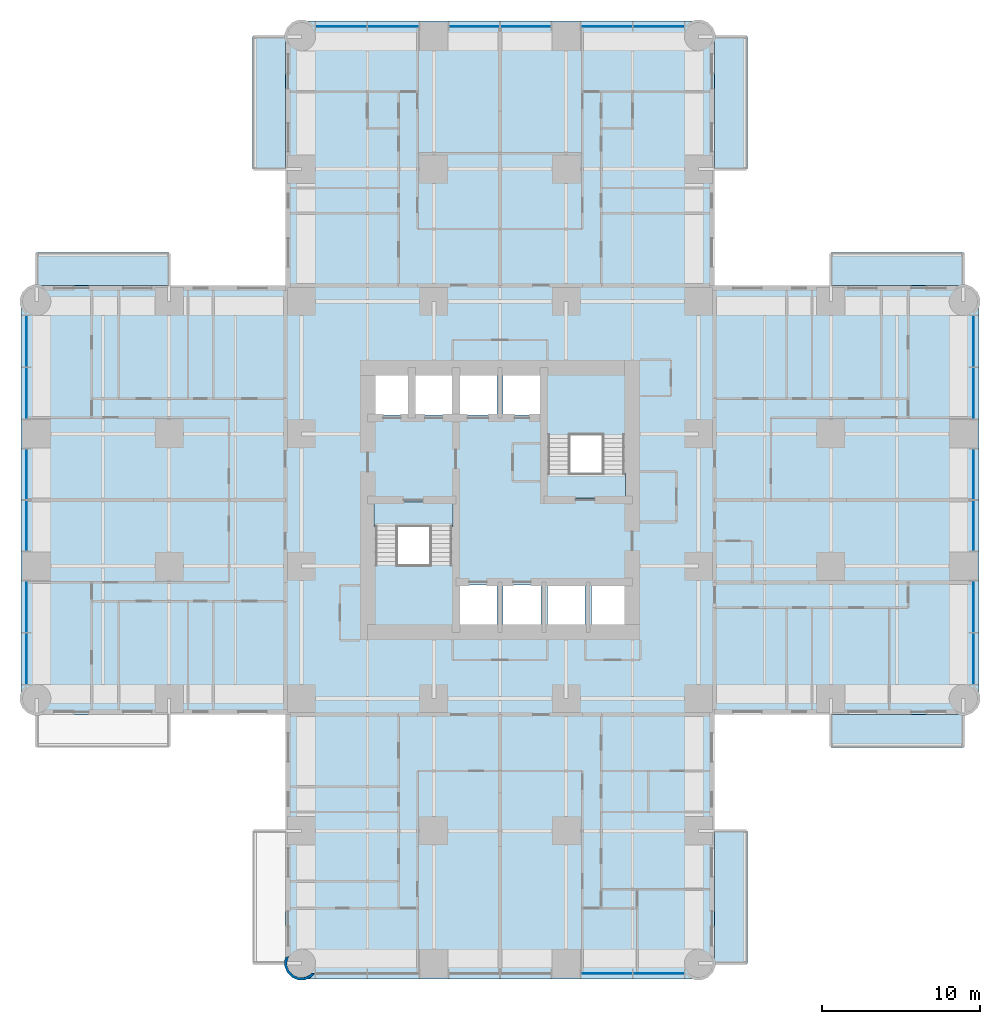
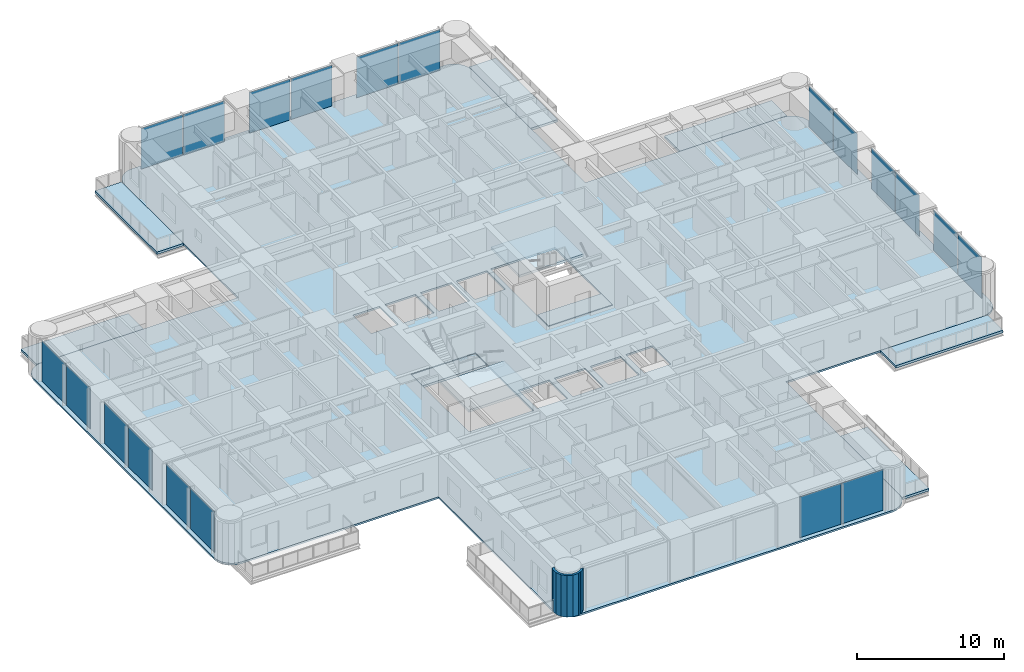
# One storey, part 6 of 17: 20 plates, 11 slabs, 1 wall, 6 elements without a shape of their own.
"""IFC4 building model written with IfcOpenShell, lengths in metres."""

from ifc_helpers import new_model, si_unit, direction, frame, origin, origin_2d, place, context, subcontext, project, spatial, polyline, rectangle, outline, extrude, material, layer, layer_set, type_object, element, aggregate, save


model = new_model("IFC4")

# Units and contexts
model_context = context("Model", 3, precision=1e-05, world=origin(), true_north=direction((0.0, 1.0)))
body_context = subcontext(model_context, "Body", "Model", "MODEL_VIEW")
ifc_project = project(units=[si_unit("LENGTHUNIT", "METRE"), si_unit("AREAUNIT", "SQUARE_METRE"), si_unit("VOLUMEUNIT", "CUBIC_METRE"), si_unit("PLANEANGLEUNIT", "RADIAN"), si_unit("MASSUNIT", "GRAM", prefix="KILO")], contexts=[model_context])

# Site, building, storey
site_placement = place(None, origin())
site = spatial("IfcSite", under=ifc_project, at=site_placement, CompositionType="ELEMENT")
building_placement = place(site_placement, origin())
building = spatial("IfcBuilding", under=site, at=building_placement, Name="Torre Alcanfor", CompositionType="ELEMENT")
storey_placement = place(building_placement, frame((0.0, 0.0, 59.699951171875)))
storey = spatial("IfcBuildingStorey", under=building, at=storey_placement, Name="L14", CompositionType="ELEMENT", Elevation=59.699951171875)

# Slabs
ifc_material_1 = material(Name="Concrete f'c 35 MPa", Category="concrete")
ifc_layer_1 = layer(ifc_material_1, 0.199951171875)
ifc_layer_set_1 = layer_set([ifc_layer_1], Name="Balcony slab 200")
slab_type_1 = type_object("IfcSlabType", Name="Balcony slab 200", PredefinedType="FLOOR", material=ifc_layer_set_1)
slab_1_placement = place(storey_placement, frame((0.0, 0.0, -0.199951171875)))
element("IfcSlab", 1, at=slab_1_placement, inside=storey, type_object=slab_type_1, Name="Balcony L14-N1", PredefinedType="FLOOR", context=body_context, shape_type="SweptSolid", body=[
    extrude(outline(polyline([(15.800048828125, 50.39990234375), (15.800048828125, 58.800048828125), (13.699951171875, 58.800048828125), (13.699951171875, 50.39990234375), (15.800048828125, 50.39990234375)])), origin(), (0.0, 0.0, 1.0), 0.199951171875),
])
slab_2_placement = place(storey_placement, frame((0.0, 0.0, -0.199951171875)))
element("IfcSlab", 2, at=slab_2_placement, inside=storey, type_object=slab_type_1, Name="Balcony L14-N2", PredefinedType="FLOOR", context=body_context, shape_type="SweptSolid", body=[
    extrude(outline(polyline([(45.10009765625, 50.39990234375), (45.10009765625, 58.800048828125), (43.0, 58.800048828125), (43.0, 50.39990234375), (45.10009765625, 50.39990234375)])), origin(), (0.0, 0.0, 1.0), 0.199951171875),
])
slab_3_placement = place(storey_placement, frame((0.0, 0.0, -0.199951171875)))
element("IfcSlab", 3, at=slab_3_placement, inside=storey, type_object=slab_type_1, Name="Balcony L14-E1", PredefinedType="FLOOR", context=body_context, shape_type="SweptSolid", body=[
    extrude(outline(polyline([(50.39990234375, 43.0), (58.800048828125, 43.0), (58.800048828125, 45.10009765625), (50.39990234375, 45.10009765625), (50.39990234375, 43.0)])), origin(), (0.0, 0.0, 1.0), 0.199951171875),
])
slab_4_placement = place(storey_placement, frame((0.0, 0.0, -0.199951171875)))
element("IfcSlab", 4, at=slab_4_placement, inside=storey, type_object=slab_type_1, Name="Balcony L14-E2", PredefinedType="FLOOR", context=body_context, shape_type="SweptSolid", body=[
    extrude(outline(polyline([(50.39990234375, 13.699951171875), (58.800048828125, 13.699951171875), (58.800048828125, 15.800048828125), (50.39990234375, 15.800048828125), (50.39990234375, 13.699951171875)])), origin(), (0.0, 0.0, 1.0), 0.199951171875),
])
slab_5_placement = place(storey_placement, frame((0.0, 0.0, -0.199951171875)))
element("IfcSlab", 5, at=slab_5_placement, inside=storey, type_object=slab_type_1, Name="Balcony L14-S1", PredefinedType="FLOOR", context=body_context, shape_type="SweptSolid", body=[
    extrude(outline(polyline([(43.0, 8.39990234375), (43.0, 0.0), (45.10009765625, 0.0), (45.10009765625, 8.39990234375), (43.0, 8.39990234375)])), origin(), (0.0, 0.0, 1.0), 0.199951171875),
])
slab_6_placement = place(storey_placement, frame((0.0, 0.0, -0.199951171875)))
element("IfcSlab", 6, at=slab_6_placement, inside=storey, type_object=slab_type_1, Name="Balcony L14-W2", PredefinedType="FLOOR", context=body_context, shape_type="SweptSolid", body=[
    extrude(outline(polyline([(8.39990234375, 45.10009765625), (0.0, 45.10009765625), (0.0, 43.0), (8.39990234375, 43.0), (8.39990234375, 45.10009765625)])), origin(), (0.0, 0.0, 1.0), 0.199951171875),
])

# Curtain wall, plates
ifc_material_2 = material(Name="Aluminium and glass", Category="aluminium")
curtain_wall_type = type_object("IfcCurtainWallType", Name="CW-A unitised apartment glazing with vertical FIN", PredefinedType="NOTDEFINED", material=ifc_material_2)
curtain_wall_1_placement = place(storey_placement, origin())
curtain_wall_1 = element("IfcCurtainWall", 7, at=curtain_wall_1_placement, inside=storey, type_object=curtain_wall_type, Name="Curtain wall CW-A L14 2", PredefinedType="NOTDEFINED")
ifc_material_3 = material(Name="Glass", Category="glass")
ifc_layer_2 = layer(ifc_material_3, 0.028076171875)
ifc_layer_set_2 = layer_set([ifc_layer_2], Name="CW-A clear double glazed unit")
plate_type = type_object("IfcPlateType", Name="CW-A clear double glazed unit", PredefinedType="CURTAIN_PANEL", material=ifc_layer_set_2)
plate_1_placement = place(storey_placement, frame((-0.64990234375, 39.484130859375, 0.0), z_axis=(0.0, 0.0, 1.0), x_axis=(0.0, -1.0, 0.0)))
plate_1 = element("IfcPlate", 8, at=plate_1_placement, type_object=plate_type, Name="CW-A panel 1.1.1", PredefinedType="CURTAIN_PANEL", context=body_context, shape_type="SweptSolid", body=[
    extrude(rectangle(XDim=3.232666015625, YDim=0.028076171875, at=origin_2d()), origin(), (0.0, 0.0, 1.0), 3.385009765625),
])
plate_2_placement = place(storey_placement, frame((-0.64990234375, 36.186279296875, 0.0), z_axis=(0.0, 0.0, 1.0), x_axis=(0.0, -1.0, 0.0)))
plate_2 = element("IfcPlate", 9, at=plate_2_placement, type_object=plate_type, Name="CW-A panel 1.2.1", PredefinedType="CURTAIN_PANEL", context=body_context, shape_type="SweptSolid", body=[
    extrude(rectangle(XDim=3.232666015625, YDim=0.028076171875, at=origin_2d()), origin(), (0.0, 0.0, 1.0), 3.385009765625),
])
plate_3_placement = place(storey_placement, frame((-0.64990234375, 31.03125, 0.0), z_axis=(0.0, 0.0, 1.0), x_axis=(0.0, -1.0, 0.0)))
plate_3 = element("IfcPlate", 10, at=plate_3_placement, type_object=plate_type, Name="CW-A panel 2.1.1", PredefinedType="CURTAIN_PANEL", context=body_context, shape_type="SweptSolid", body=[
    extrude(rectangle(XDim=3.197509765625, YDim=0.028076171875, at=origin_2d()), origin(), (0.0, 0.0, 1.0), 3.385009765625),
])
plate_4_placement = place(storey_placement, frame((-0.64990234375, 27.768798828125, 0.0), z_axis=(0.0, 0.0, 1.0), x_axis=(0.0, -1.0, 0.0)))
plate_4 = element("IfcPlate", 11, at=plate_4_placement, type_object=plate_type, Name="CW-A panel 2.2.1", PredefinedType="CURTAIN_PANEL", context=body_context, shape_type="SweptSolid", body=[
    extrude(rectangle(XDim=3.197509765625, YDim=0.028076171875, at=origin_2d()), origin(), (0.0, 0.0, 1.0), 3.385009765625),
])
plate_5_placement = place(storey_placement, frame((-0.64990234375, 22.613525390625, 0.0), z_axis=(0.0, 0.0, 1.0), x_axis=(0.0, -1.0, 0.0)))
plate_5 = element("IfcPlate", 12, at=plate_5_placement, type_object=plate_type, Name="CW-A panel 3.1.1", PredefinedType="CURTAIN_PANEL", context=body_context, shape_type="SweptSolid", body=[
    extrude(rectangle(XDim=3.232666015625, YDim=0.028076171875, at=origin_2d()), origin(), (0.0, 0.0, 1.0), 3.385009765625),
])
plate_6_placement = place(storey_placement, frame((-0.64990234375, 19.31591796875, 0.0), z_axis=(0.0, 0.0, 1.0), x_axis=(0.0, -1.0, 0.0)))
plate_6 = element("IfcPlate", 13, at=plate_6_placement, type_object=plate_type, Name="CW-A panel 3.2.1", PredefinedType="CURTAIN_PANEL", context=body_context, shape_type="SweptSolid", body=[
    extrude(rectangle(XDim=3.232666015625, YDim=0.028076171875, at=origin_2d()), origin(), (0.0, 0.0, 1.0), 3.385009765625),
])
aggregate(curtain_wall_1, [plate_1, plate_2, plate_3, plate_4, plate_5, plate_6])

curtain_wall_2_placement = place(storey_placement, origin())
curtain_wall_2 = element("IfcCurtainWall", 14, at=curtain_wall_2_placement, inside=storey, type_object=curtain_wall_type, Name="Curtain wall CW-A L14 5", PredefinedType="NOTDEFINED")
plate_7_placement = place(storey_placement, frame((36.186279296875, -0.64990234375, 0.0), z_axis=(0.0, 0.0, 1.0), x_axis=(1.0, 0.0, 0.0)))
plate_7 = element("IfcPlate", 15, at=plate_7_placement, type_object=plate_type, Name="CW-A panel 3.1.1", PredefinedType="CURTAIN_PANEL", context=body_context, shape_type="SweptSolid", body=[
    extrude(rectangle(XDim=3.232666015625, YDim=0.028076171875, at=origin_2d()), origin(), (0.0, 0.0, 1.0), 3.385009765625),
])
plate_8_placement = place(storey_placement, frame((39.484130859375, -0.64990234375, 0.0), z_axis=(0.0, 0.0, 1.0), x_axis=(1.0, 0.0, 0.0)))
plate_8 = element("IfcPlate", 16, at=plate_8_placement, type_object=plate_type, Name="CW-A panel 3.2.1", PredefinedType="CURTAIN_PANEL", context=body_context, shape_type="SweptSolid", body=[
    extrude(rectangle(XDim=3.232666015625, YDim=0.028076171875, at=origin_2d()), origin(), (0.0, 0.0, 1.0), 3.385009765625),
])
aggregate(curtain_wall_2, [plate_7, plate_8])

curtain_wall_3_placement = place(storey_placement, origin())
curtain_wall_3 = element("IfcCurtainWall", 17, at=curtain_wall_3_placement, inside=storey, type_object=curtain_wall_type, Name="Curtain wall CW-A L14 8", PredefinedType="NOTDEFINED")
plate_9_placement = place(storey_placement, frame((59.449951171875, 19.31591796875, 0.0), z_axis=(0.0, 0.0, 1.0), x_axis=(0.0, 1.0, 0.0)))
plate_9 = element("IfcPlate", 18, at=plate_9_placement, type_object=plate_type, Name="CW-A panel 1.1.1", PredefinedType="CURTAIN_PANEL", context=body_context, shape_type="SweptSolid", body=[
    extrude(rectangle(XDim=3.232666015625, YDim=0.028076171875, at=origin_2d()), origin(), (0.0, 0.0, 1.0), 3.385009765625),
])
plate_10_placement = place(storey_placement, frame((59.449951171875, 22.613525390625, 0.0), z_axis=(0.0, 0.0, 1.0), x_axis=(0.0, 1.0, 0.0)))
plate_10 = element("IfcPlate", 19, at=plate_10_placement, type_object=plate_type, Name="CW-A panel 1.2.1", PredefinedType="CURTAIN_PANEL", context=body_context, shape_type="SweptSolid", body=[
    extrude(rectangle(XDim=3.232666015625, YDim=0.028076171875, at=origin_2d()), origin(), (0.0, 0.0, 1.0), 3.385009765625),
])
plate_11_placement = place(storey_placement, frame((59.449951171875, 27.768798828125, 0.0), z_axis=(0.0, 0.0, 1.0), x_axis=(0.0, 1.0, 0.0)))
plate_11 = element("IfcPlate", 20, at=plate_11_placement, type_object=plate_type, Name="CW-A panel 2.1.1", PredefinedType="CURTAIN_PANEL", context=body_context, shape_type="SweptSolid", body=[
    extrude(rectangle(XDim=3.197509765625, YDim=0.028076171875, at=origin_2d()), origin(), (0.0, 0.0, 1.0), 3.385009765625),
])
plate_12_placement = place(storey_placement, frame((59.449951171875, 31.03125, 0.0), z_axis=(0.0, 0.0, 1.0), x_axis=(0.0, 1.0, 0.0)))
plate_12 = element("IfcPlate", 21, at=plate_12_placement, type_object=plate_type, Name="CW-A panel 2.2.1", PredefinedType="CURTAIN_PANEL", context=body_context, shape_type="SweptSolid", body=[
    extrude(rectangle(XDim=3.197509765625, YDim=0.028076171875, at=origin_2d()), origin(), (0.0, 0.0, 1.0), 3.385009765625),
])
plate_13_placement = place(storey_placement, frame((59.449951171875, 36.186279296875, 0.0), z_axis=(0.0, 0.0, 1.0), x_axis=(0.0, 1.0, 0.0)))
plate_13 = element("IfcPlate", 22, at=plate_13_placement, type_object=plate_type, Name="CW-A panel 3.1.1", PredefinedType="CURTAIN_PANEL", context=body_context, shape_type="SweptSolid", body=[
    extrude(rectangle(XDim=3.232666015625, YDim=0.028076171875, at=origin_2d()), origin(), (0.0, 0.0, 1.0), 3.385009765625),
])
plate_14_placement = place(storey_placement, frame((59.449951171875, 39.484130859375, 0.0), z_axis=(0.0, 0.0, 1.0), x_axis=(0.0, 1.0, 0.0)))
plate_14 = element("IfcPlate", 23, at=plate_14_placement, type_object=plate_type, Name="CW-A panel 3.2.1", PredefinedType="CURTAIN_PANEL", context=body_context, shape_type="SweptSolid", body=[
    extrude(rectangle(XDim=3.232666015625, YDim=0.028076171875, at=origin_2d()), origin(), (0.0, 0.0, 1.0), 3.385009765625),
])
aggregate(curtain_wall_3, [plate_9, plate_10, plate_11, plate_12, plate_13, plate_14])

curtain_wall_4_placement = place(storey_placement, origin())
curtain_wall_4 = element("IfcCurtainWall", 24, at=curtain_wall_4_placement, inside=storey, type_object=curtain_wall_type, Name="Curtain wall CW-A L14 11", PredefinedType="NOTDEFINED")
plate_15_placement = place(storey_placement, frame((39.484130859375, 59.449951171875, 0.0), z_axis=(0.0, 0.0, 1.0), x_axis=(-1.0, 0.0, 0.0)))
plate_15 = element("IfcPlate", 25, at=plate_15_placement, type_object=plate_type, Name="CW-A panel 1.1.1", PredefinedType="CURTAIN_PANEL", context=body_context, shape_type="SweptSolid", body=[
    extrude(rectangle(XDim=3.232666015625, YDim=0.028076171875, at=origin_2d()), origin(), (0.0, 0.0, 1.0), 3.385009765625),
])
plate_16_placement = place(storey_placement, frame((36.186279296875, 59.449951171875, 0.0), z_axis=(0.0, 0.0, 1.0), x_axis=(-1.0, 0.0, 0.0)))
plate_16 = element("IfcPlate", 26, at=plate_16_placement, type_object=plate_type, Name="CW-A panel 1.2.1", PredefinedType="CURTAIN_PANEL", context=body_context, shape_type="SweptSolid", body=[
    extrude(rectangle(XDim=3.232666015625, YDim=0.028076171875, at=origin_2d()), origin(), (0.0, 0.0, 1.0), 3.385009765625),
])
plate_17_placement = place(storey_placement, frame((31.03125, 59.449951171875, 0.0), z_axis=(0.0, 0.0, 1.0), x_axis=(-1.0, 0.0, 0.0)))
plate_17 = element("IfcPlate", 27, at=plate_17_placement, type_object=plate_type, Name="CW-A panel 2.1.1", PredefinedType="CURTAIN_PANEL", context=body_context, shape_type="SweptSolid", body=[
    extrude(rectangle(XDim=3.197509765625, YDim=0.028076171875, at=origin_2d()), origin(), (0.0, 0.0, 1.0), 3.385009765625),
])
plate_18_placement = place(storey_placement, frame((27.768798828125, 59.449951171875, 0.0), z_axis=(0.0, 0.0, 1.0), x_axis=(-1.0, 0.0, 0.0)))
plate_18 = element("IfcPlate", 28, at=plate_18_placement, type_object=plate_type, Name="CW-A panel 2.2.1", PredefinedType="CURTAIN_PANEL", context=body_context, shape_type="SweptSolid", body=[
    extrude(rectangle(XDim=3.197509765625, YDim=0.028076171875, at=origin_2d()), origin(), (0.0, 0.0, 1.0), 3.385009765625),
])
plate_19_placement = place(storey_placement, frame((22.613525390625, 59.449951171875, 0.0), z_axis=(0.0, 0.0, 1.0), x_axis=(-1.0, 0.0, 0.0)))
plate_19 = element("IfcPlate", 29, at=plate_19_placement, type_object=plate_type, Name="CW-A panel 3.1.1", PredefinedType="CURTAIN_PANEL", context=body_context, shape_type="SweptSolid", body=[
    extrude(rectangle(XDim=3.232666015625, YDim=0.028076171875, at=origin_2d()), origin(), (0.0, 0.0, 1.0), 3.385009765625),
])
plate_20_placement = place(storey_placement, frame((19.31591796875, 59.449951171875, 0.0), z_axis=(0.0, 0.0, 1.0), x_axis=(-1.0, 0.0, 0.0)))
plate_20 = element("IfcPlate", 30, at=plate_20_placement, type_object=plate_type, Name="CW-A panel 3.2.1", PredefinedType="CURTAIN_PANEL", context=body_context, shape_type="SweptSolid", body=[
    extrude(rectangle(XDim=3.232666015625, YDim=0.028076171875, at=origin_2d()), origin(), (0.0, 0.0, 1.0), 3.385009765625),
])
aggregate(curtain_wall_4, [plate_15, plate_16, plate_17, plate_18, plate_19, plate_20])

# Slab
ifc_material_4 = material(Name="Concrete f'c 35 MPa", Category="concrete")
ifc_layer_3 = layer(ifc_material_4, 0.14990234375)
ifc_layer_set_3 = layer_set([ifc_layer_3], Name="Composite floor 150 on metal deck")
slab_type_2 = type_object("IfcSlabType", Name="Composite floor 150 on metal deck", PredefinedType="FLOOR", material=ifc_layer_set_3)
slab_7_placement = place(storey_placement, frame((0.0, 0.0, -0.14990234375)))
element("IfcSlab", 31, at=slab_7_placement, inside=storey, type_object=slab_type_2, Name="Floor slab L14", PredefinedType="FLOOR", context=body_context, shape_type="SweptSolid", body=[
    extrude(outline(polyline([(15.800048828125, 43.0), (0.39990234375, 43.0), (0.03759765625, 42.952392578125), (-0.300048828125, 42.8125), (-0.58984375, 42.58984375), (-0.8125, 42.300048828125), (-0.952392578125, 41.96240234375), (-1.0, 41.60009765625), (-1.0, 17.199951171875), (-0.952392578125, 16.837646484375), (-0.8125, 16.5), (-0.58984375, 16.210205078125), (-0.300048828125, 15.987548828125), (0.03759765625, 15.84765625), (0.39990234375, 15.800048828125), (15.800048828125, 15.800048828125), (15.800048828125, 0.39990234375), (15.84765625, 0.03759765625), (15.987548828125, -0.300048828125), (16.210205078125, -0.58984375), (16.5, -0.8125), (16.837646484375, -0.952392578125), (17.199951171875, -1.0), (41.60009765625, -1.0), (41.96240234375, -0.952392578125), (42.300048828125, -0.8125), (42.58984375, -0.58984375), (42.8125, -0.300048828125), (42.952392578125, 0.03759765625), (43.0, 0.39990234375), (43.0, 15.800048828125), (58.39990234375, 15.800048828125), (58.76220703125, 15.84765625), (59.10009765625, 15.987548828125), (59.389892578125, 16.210205078125), (59.6123046875, 16.5), (59.752197265625, 16.837646484375), (59.800048828125, 17.199951171875), (59.800048828125, 41.60009765625), (59.752197265625, 41.96240234375), (59.6123046875, 42.300048828125), (59.389892578125, 42.58984375), (59.10009765625, 42.8125), (58.76220703125, 42.952392578125), (58.39990234375, 43.0), (43.0, 43.0), (43.0, 58.39990234375), (42.952392578125, 58.76220703125), (42.8125, 59.10009765625), (42.58984375, 59.389892578125), (42.300048828125, 59.6123046875), (41.96240234375, 59.752197265625), (41.60009765625, 59.800048828125), (17.199951171875, 59.800048828125), (16.837646484375, 59.752197265625), (16.5, 59.6123046875), (16.210205078125, 59.389892578125), (15.987548828125, 59.10009765625), (15.84765625, 58.76220703125), (15.800048828125, 58.39990234375), (15.800048828125, 43.0)]), holes=[polyline([(21.419921875, 21.419921875), (26.47998046875, 21.419921875), (26.47998046875, 29.280029296875), (21.419921875, 29.280029296875), (21.419921875, 21.419921875)]), polyline([(32.320068359375, 29.52001953125), (37.3798828125, 29.52001953125), (37.3798828125, 37.3798828125), (32.320068359375, 37.3798828125), (32.320068359375, 29.52001953125)]), polyline([(26.800048828125, 21.5), (29.199951171875, 21.5), (29.199951171875, 24.0), (26.800048828125, 24.0), (26.800048828125, 21.5)]), polyline([(29.60009765625, 21.5), (32.0, 21.5), (32.0, 24.0), (29.60009765625, 24.0), (29.60009765625, 21.5)]), polyline([(32.39990234375, 21.5), (34.800048828125, 21.5), (34.800048828125, 24.0), (32.39990234375, 24.0), (32.39990234375, 21.5)]), polyline([(35.199951171875, 21.5), (37.300048828125, 21.5), (37.300048828125, 24.0), (35.199951171875, 24.0), (35.199951171875, 21.5)]), polyline([(21.5, 34.800048828125), (23.60009765625, 34.800048828125), (23.60009765625, 37.300048828125), (21.5, 37.300048828125), (21.5, 34.800048828125)]), polyline([(24.0, 34.800048828125), (26.39990234375, 34.800048828125), (26.39990234375, 37.300048828125), (24.0, 37.300048828125), (24.0, 34.800048828125)]), polyline([(26.800048828125, 34.800048828125), (29.199951171875, 34.800048828125), (29.199951171875, 37.300048828125), (26.800048828125, 37.300048828125), (26.800048828125, 34.800048828125)]), polyline([(29.60009765625, 34.800048828125), (32.0, 34.800048828125), (32.0, 37.300048828125), (29.60009765625, 37.300048828125), (29.60009765625, 34.800048828125)])]), origin(), (0.0, 0.0, 1.0), 0.14990234375),
])

# Stair, slabs
ifc_material_5 = material(Name="Concrete f'c 35 MPa", Category="concrete")
stair_type_1 = type_object("IfcStairType", Name="Exit stair S1 1400 wide", PredefinedType="HALF_TURN_STAIR", material=ifc_material_5)
stair_1_placement = place(storey_placement, origin())
stair_1 = element("IfcStair", 32, at=stair_1_placement, inside=storey, type_object=stair_type_1, Name="Stair S1 L14 to L15", PredefinedType="HALF_TURN_STAIR")
ifc_material_6 = material(Name="Concrete f'c 35 MPa", Category="concrete")
ifc_layer_4 = layer(ifc_material_6, 0.199951171875)
ifc_layer_set_4 = layer_set([ifc_layer_4], Name="Stair landing 200")
slab_type_3 = type_object("IfcSlabType", Name="Stair landing 200", PredefinedType="LANDING", material=ifc_layer_set_4)
slab_8_placement = place(storey_placement, frame((0.0, 0.0, -0.199951171875)))
slab_8 = element("IfcSlab", 33, at=slab_8_placement, type_object=slab_type_3, Name="S1 landing 1", PredefinedType="LANDING", context=body_context, shape_type="SweptSolid", body=[
    extrude(outline(polyline([(21.419921875, 27.699951171875), (26.429931640625, 27.699951171875), (26.429931640625, 29.22998046875), (21.419921875, 29.22998046875), (21.419921875, 27.699951171875)])), origin(), (0.0, 0.0, 1.0), 0.199951171875),
])
slab_9_placement = place(storey_placement, frame((0.0, 0.0, 1.60009765625)))
slab_9 = element("IfcSlab", 34, at=slab_9_placement, type_object=slab_type_3, Name="S1 landing 2", PredefinedType="LANDING", context=body_context, shape_type="SweptSolid", body=[
    extrude(outline(polyline([(21.419921875, 21.419921875), (26.429931640625, 21.419921875), (26.429931640625, 25.280029296875), (21.419921875, 25.280029296875), (21.419921875, 21.419921875)])), origin(), (0.0, 0.0, 1.0), 0.199951171875),
])
aggregate(stair_1, [slab_8, slab_9])

ifc_material_7 = material(Name="Concrete f'c 35 MPa", Category="concrete")
stair_type_2 = type_object("IfcStairType", Name="Exit stair S2 1400 wide", PredefinedType="HALF_TURN_STAIR", material=ifc_material_7)
stair_2_placement = place(storey_placement, origin())
stair_2 = element("IfcStair", 35, at=stair_2_placement, inside=storey, type_object=stair_type_2, Name="Stair S2 L14 to L15", PredefinedType="HALF_TURN_STAIR")
slab_10_placement = place(storey_placement, frame((0.0, 0.0, -0.199951171875)))
slab_10 = element("IfcSlab", 36, at=slab_10_placement, type_object=slab_type_3, Name="S2 landing 1", PredefinedType="LANDING", context=body_context, shape_type="SweptSolid", body=[
    extrude(outline(polyline([(32.3701171875, 29.570068359375), (37.3798828125, 29.570068359375), (37.3798828125, 31.10009765625), (32.3701171875, 31.10009765625), (32.3701171875, 29.570068359375)])), origin(), (0.0, 0.0, 1.0), 0.199951171875),
])
slab_11_placement = place(storey_placement, frame((0.0, 0.0, 1.60009765625)))
slab_11 = element("IfcSlab", 37, at=slab_11_placement, type_object=slab_type_3, Name="S2 landing 2", PredefinedType="LANDING", context=body_context, shape_type="SweptSolid", body=[
    extrude(outline(polyline([(32.3701171875, 33.52001953125), (37.3798828125, 33.52001953125), (37.3798828125, 37.3798828125), (32.3701171875, 37.3798828125), (32.3701171875, 33.52001953125)])), origin(), (0.0, 0.0, 1.0), 0.199951171875),
])
aggregate(stair_2, [slab_10, slab_11])

# Wall
ifc_material_8 = material(Name="Limestone cladding", Category="masonry")
ifc_layer_5 = layer(ifc_material_8, 0.0400390625, Name="Facing")
ifc_material_9 = material(Name="Ventilated air cavity")
ifc_layer_6 = layer(ifc_material_9, 0.02001953125, ventilated=True, Name="Ventilated joint")
ifc_material_10 = material(Name="Mineral wool insulation", Category="insulation")
ifc_layer_7 = layer(ifc_material_10, 0.10009765625, Name="Insulation")
ifc_material_11 = material(Name="Concrete f'c 35 MPa", Category="concrete")
ifc_layer_8 = layer(ifc_material_11, 0.139892578125, Name="Backing")
ifc_layer_set_5 = layer_set([ifc_layer_5, ifc_layer_6, ifc_layer_7, ifc_layer_8], Name="Rounded corner pier stone-clad 300")
wall_type = type_object("IfcWallType", Name="Rounded corner pier stone-clad 300", PredefinedType="SOLIDWALL", material=ifc_layer_set_5)
wall_placement = place(storey_placement, frame((15.890092843, 0.363962863, 0.0), z_axis=(0.0, 0.0, 1.0), x_axis=(-0.377204953059, -0.926129809145, 0.0)))
element("IfcWall", 38, at=wall_placement, inside=storey, type_object=wall_type, Name="Corner pier L14 15", PredefinedType="SOLIDWALL", context=body_context, shape_type="SweptSolid", body=[
    extrude(outline(polyline([(0.36025406326845444, 1.8033251535395152), (0.5088520451897254, 1.7407402151136773), (0.7605729288027181, 1.4858036812916837), (0.8957625945963965, 1.1538802047718164), (0.8938847377533284, 0.7953914035812757), (0.7547773157275899, 0.46510295554213366), (0.4997067670481534, 0.21306387496571194), (0.16778329052828606, 0.07787420917203358), (-0.09994023900030424, 0.0795504548732244), (0.0006804239564057041, -0.09694899646014049), (0.029999294732247404, -0.08026261581225796), (0.19856690358048068, -0.0812004843578153), (0.5888257049928043, 0.07774867310804906), (0.8888185520201115, 0.37418200048294215), (1.0525847078153452, 0.7630186897929918), (1.0551554850896743, 1.184529802966568), (0.896114236570817, 1.5750147102893275), (0.7776681844062314, 1.6949582431572732), (0.7691216165340404, 1.727592391840862), (0.7502462480266835, 1.7228043636692119), (0.599680909195924, 1.8750075573166347), (0.2945300212676607, 2.0035278056043833), (0.2809636666415082, 1.9980023424248052), (0.36025406326845444, 1.8033251535395152)])), origin(), (0.0, 0.0, 1.0), 3.449951171875),
])

save(model, "model.ifc")
